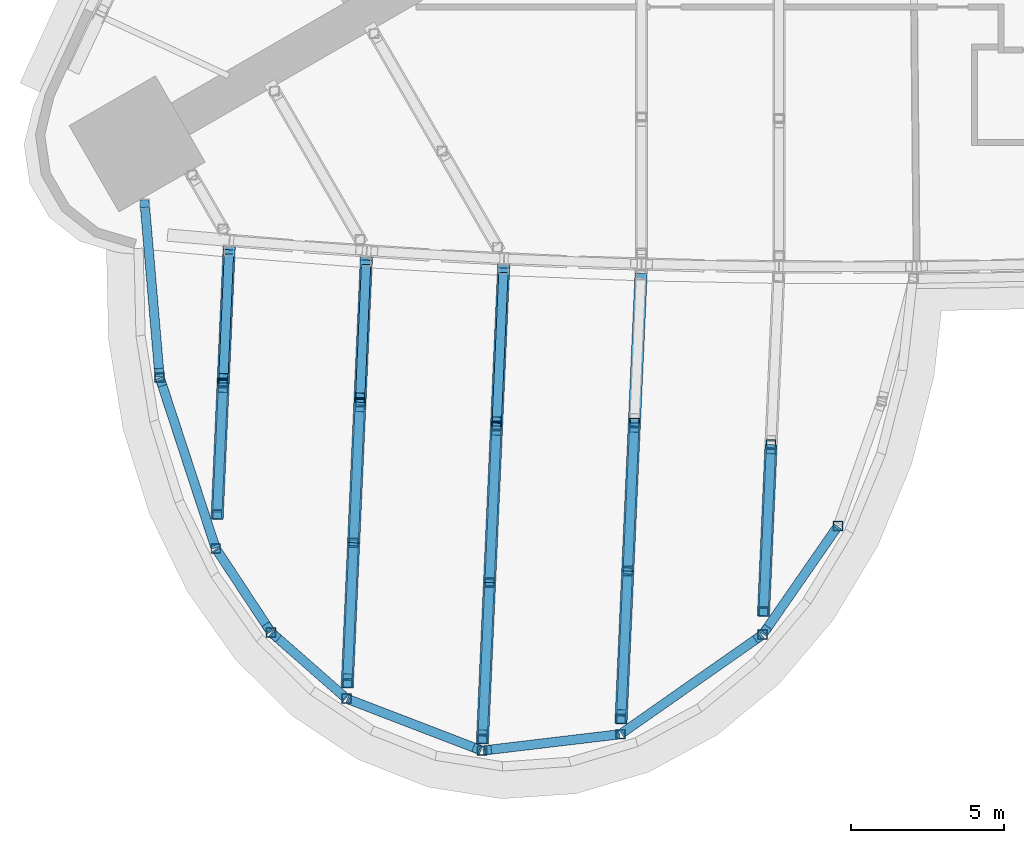
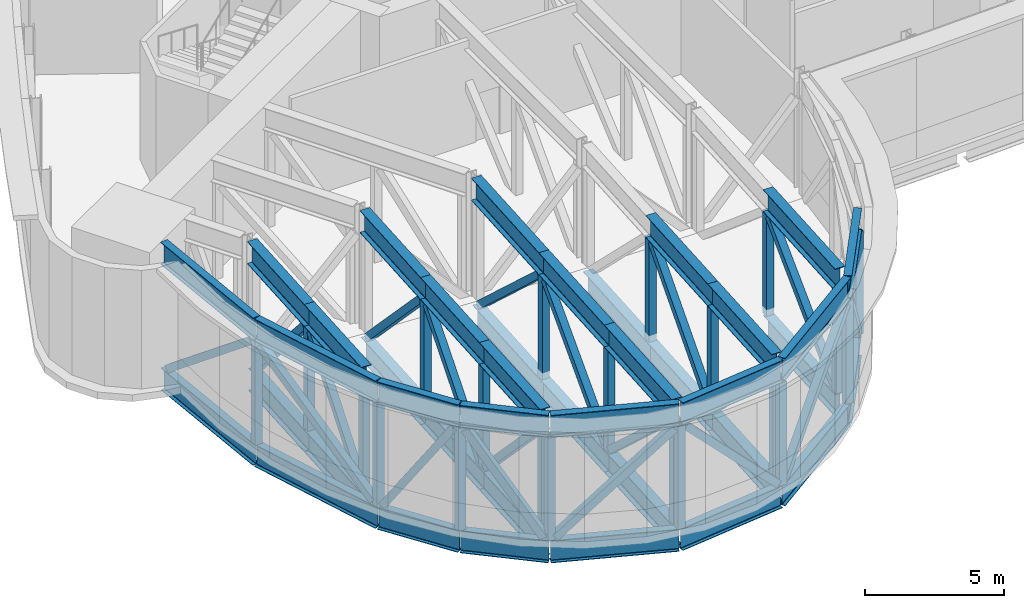
# One storey, part 2 of 10: 79 members.
"""IFC4 building model written with IfcOpenShell, lengths in metres."""

from ifc_helpers import new_model, si_unit, direction, frame, origin, origin_2d, place, context, subcontext, project, spatial, hollow_rectangle, i_section, extrude, material, material_profile, profile_set, type_object, element, save


model = new_model("IFC4")

# Units and contexts
model_context = context("Model", 3, precision=1e-05, world=origin(), true_north=direction((0.0, 1.0)))
body_context = subcontext(model_context, "Body", "Model", "MODEL_VIEW")
ifc_project = project(units=[si_unit("LENGTHUNIT", "METRE"), si_unit("AREAUNIT", "SQUARE_METRE"), si_unit("VOLUMEUNIT", "CUBIC_METRE"), si_unit("PLANEANGLEUNIT", "RADIAN"), si_unit("MASSUNIT", "GRAM", prefix="KILO")], contexts=[model_context])

# Site, building, storey
site_placement = place(None, origin())
site = spatial("IfcSite", under=ifc_project, at=site_placement, CompositionType="ELEMENT")
building_placement = place(site_placement, origin())
building = spatial("IfcBuilding", under=site, at=building_placement, Name="Noor Cloister Tower", CompositionType="ELEMENT")
storey_placement = place(building_placement, frame((0.0, 0.0, 52.800048828125)))
storey = spatial("IfcBuildingStorey", under=building, at=storey_placement, Name="L13", CompositionType="ELEMENT", Elevation=52.800048828125)

# Members
ifc_material_1 = material(Name="Steel ASTM A992 Gr 50", Category="steel")
ifc_material_profile_1 = material_profile(ifc_material_1, i_section(OverallWidth=0.300048828125, OverallDepth=0.97998046875, WebThickness=0.0166015625, FlangeThickness=0.026123046875, FilletRadius=0.02978515625, at=origin_2d()), Name="W1000x249")
ifc_profile_set_1 = profile_set([ifc_material_profile_1], Name="Steel ASTM A992 Gr 50")
member_type_1 = type_object("IfcMemberType", Name="Pod ring chord W1000x249", PredefinedType="CHORD", material=ifc_profile_set_1)
member_1_placement = place(storey_placement, frame((-22.955322265625, -15.23193359375, -0.7900390625), z_axis=(0.085725728448, -0.996318774029, 0.0), x_axis=(0.996318774029, 0.085725728448, 0.0)))
element("IfcMember", 1, at=member_1_placement, inside=storey, type_object=member_type_1, Name="Pod truss 1 bottom chord ring 1", PredefinedType="CHORD", context=body_context, shape_type="SweptSolid", body=[
    extrude(i_section(OverallWidth=0.300048828125, OverallDepth=0.97998046875, WebThickness=0.0166015625, FlangeThickness=0.026123046875, FilletRadius=0.02978515625, at=origin_2d()), origin(), (0.0, 0.0, 1.0), 5.78125),
])
member_2_placement = place(storey_placement, frame((-22.957763671875, -15.204345703125, 4.7099609375), z_axis=(0.085737293048, -0.996317778914, 0.0), x_axis=(0.996317778914, 0.085737293048, 0.0)))
element("IfcMember", 2, at=member_2_placement, inside=storey, type_object=member_type_1, Name="Pod truss 1 top chord ring 1", PredefinedType="CHORD", context=body_context, shape_type="SweptSolid", body=[
    extrude(i_section(OverallWidth=0.300048828125, OverallDepth=0.97998046875, WebThickness=0.0166015625, FlangeThickness=0.026123046875, FilletRadius=0.02978515625, at=origin_2d()), origin(), (0.0, 0.0, 1.0), 5.80908203125),
])
for number, where, z_axis, x_axis, name in (
    (3, (-22.452880859375, -21.026123046875, -0.7900390625), (0.311618164459, -0.950207408716, 0.0), (0.950207408716, 0.311618164459, 0.0), "Pod truss 1 bottom chord ring 2"),
    (4, (-22.452880859375, -21.026123046875, 4.7099609375), (0.311618164459, -0.950207408716, 0.0), (0.950207408716, 0.311618164459, 0.0), "Pod truss 1 top chord ring 2"),
):
    element("IfcMember", number, at=place(storey_placement, frame(where, z_axis=z_axis, x_axis=x_axis)), inside=storey, type_object=member_type_1, Name=name, PredefinedType="CHORD", context=body_context, shape_type="SweptSolid", body=[
        extrude(i_section(OverallWidth=0.300048828125, OverallDepth=0.97998046875, WebThickness=0.0166015625, FlangeThickness=0.026123046875, FilletRadius=0.02978515625, at=origin_2d()), origin(), (0.0, 0.0, 1.0), 5.8359375),
    ])
for number, where, z_axis, x_axis, name in (
    (5, (-20.616943359375, -26.607421875, -0.7900390625), (0.550436225719, -0.834877213377, 0.0), (0.834877213377, 0.550436225719, 0.0), "Pod truss 1 bottom chord ring 3"),
    (6, (-20.616943359375, -26.607421875, 4.7099609375), (0.550436225719, -0.834877213377, 0.0), (0.834877213377, 0.550436225719, 0.0), "Pod truss 1 top chord ring 3"),
):
    element("IfcMember", number, at=place(storey_placement, frame(where, z_axis=z_axis, x_axis=x_axis)), inside=storey, type_object=member_type_1, Name=name, PredefinedType="CHORD", context=body_context, shape_type="SweptSolid", body=[
        extrude(i_section(OverallWidth=0.300048828125, OverallDepth=0.97998046875, WebThickness=0.0166015625, FlangeThickness=0.026123046875, FilletRadius=0.02978515625, at=origin_2d()), origin(), (0.0, 0.0, 1.0), 3.24267578125),
    ])
for number, where, z_axis, x_axis, name in (
    (7, (-18.8056640625, -29.344970703125, -0.7900390625), (0.751715096734, -0.659487993327, 0.0), (0.659487993327, 0.751715096734, 0.0), "Pod truss 1 bottom chord ring 4"),
    (8, (-18.8056640625, -29.344970703125, 4.7099609375), (0.751715096734, -0.659487993327, 0.0), (0.659487993327, 0.751715096734, 0.0), "Pod truss 1 top chord ring 4"),
):
    element("IfcMember", number, at=place(storey_placement, frame(where, z_axis=z_axis, x_axis=x_axis)), inside=storey, type_object=member_type_1, Name=name, PredefinedType="CHORD", context=body_context, shape_type="SweptSolid", body=[
        extrude(i_section(OverallWidth=0.300048828125, OverallDepth=0.97998046875, WebThickness=0.0166015625, FlangeThickness=0.026123046875, FilletRadius=0.02978515625, at=origin_2d()), origin(), (0.0, 0.0, 1.0), 3.232177734375),
    ])
for number, where, z_axis, x_axis, name in (
    (9, (-16.330810546875, -31.50390625, -0.7900390625), (0.933474936538, -0.358642639483, 0.0), (0.358642639483, 0.933474936538, 0.0), "Pod truss 1 bottom chord ring 5"),
    (10, (-16.330810546875, -31.50390625, 4.7099609375), (0.933474936538, -0.358642639483, 0.0), (0.358642639483, 0.933474936538, 0.0), "Pod truss 1 top chord ring 5"),
):
    element("IfcMember", number, at=place(storey_placement, frame(where, z_axis=z_axis, x_axis=x_axis)), inside=storey, type_object=member_type_1, Name=name, PredefinedType="CHORD", context=body_context, shape_type="SweptSolid", body=[
        extrude(i_section(OverallWidth=0.300048828125, OverallDepth=0.97998046875, WebThickness=0.0166015625, FlangeThickness=0.026123046875, FilletRadius=0.02978515625, at=origin_2d()), origin(), (0.0, 0.0, 1.0), 4.66845703125),
    ])
for number, where, z_axis, x_axis, name in (
    (11, (-11.9013671875, -33.187255859375, -0.7900390625), (0.992974086755, 0.118332003416, 0.0), (-0.118332003416, 0.992974086755, 0.0), "Pod truss 1 bottom chord ring 6"),
    (12, (-11.9013671875, -33.187255859375, 4.7099609375), (0.992974086755, 0.118332003416, 0.0), (-0.118332003416, 0.992974086755, 0.0), "Pod truss 1 top chord ring 6"),
):
    element("IfcMember", number, at=place(storey_placement, frame(where, z_axis=z_axis, x_axis=x_axis)), inside=storey, type_object=member_type_1, Name=name, PredefinedType="CHORD", context=body_context, shape_type="SweptSolid", body=[
        extrude(i_section(OverallWidth=0.300048828125, OverallDepth=0.97998046875, WebThickness=0.0166015625, FlangeThickness=0.026123046875, FilletRadius=0.02978515625, at=origin_2d()), origin(), (0.0, 0.0, 1.0), 4.47509765625),
    ])
for number, where, z_axis, x_axis, name in (
    (13, (-7.389404296875, -32.63134765625, -0.7900390625), (0.819047475255, 0.573725747443, 0.0), (-0.573725747443, 0.819047475255, 0.0), "Pod truss 1 bottom chord ring 7"),
    (14, (-7.389404296875, -32.63134765625, 4.7099609375), (0.819047475255, 0.573725747443, 0.0), (-0.573725747443, 0.819047475255, 0.0), "Pod truss 1 top chord ring 7"),
):
    element("IfcMember", number, at=place(storey_placement, frame(where, z_axis=z_axis, x_axis=x_axis)), inside=storey, type_object=member_type_1, Name=name, PredefinedType="CHORD", context=body_context, shape_type="SweptSolid", body=[
        extrude(i_section(OverallWidth=0.300048828125, OverallDepth=0.97998046875, WebThickness=0.0166015625, FlangeThickness=0.026123046875, FilletRadius=0.02978515625, at=origin_2d()), origin(), (0.0, 0.0, 1.0), 5.597900390625),
    ])
for number, where, z_axis, x_axis, name in (
    (15, (-2.76708984375, -29.38232421875, -0.7900390625), (0.570197414266, 0.821507704628, 0.0), (-0.821507704628, 0.570197414266, 0.0), "Pod truss 1 bottom chord ring 8"),
    (16, (-2.76708984375, -29.38232421875, 4.7099609375), (0.570197414266, 0.821507704628, 0.0), (-0.821507704628, 0.570197414266, 0.0), "Pod truss 1 top chord ring 8"),
):
    element("IfcMember", number, at=place(storey_placement, frame(where, z_axis=z_axis, x_axis=x_axis)), inside=storey, type_object=member_type_1, Name=name, PredefinedType="CHORD", context=body_context, shape_type="SweptSolid", body=[
        extrude(i_section(OverallWidth=0.300048828125, OverallDepth=0.97998046875, WebThickness=0.0166015625, FlangeThickness=0.026123046875, FilletRadius=0.02978515625, at=origin_2d()), origin(), (0.0, 0.0, 1.0), 4.2666015625),
    ])
ifc_material_2 = material(Name="Steel ASTM A992 Gr 50", Category="steel")
ifc_material_profile_2 = material_profile(ifc_material_2, i_section(OverallWidth=0.40087890625, OverallDepth=0.98291015625, WebThickness=0.0166015625, FlangeThickness=0.027099609375, FilletRadius=0.030029296875, at=origin_2d()), Name="W1000x296")
ifc_profile_set_2 = profile_set([ifc_material_profile_2], Name="Steel ASTM A992 Gr 50")
member_type_2 = type_object("IfcMemberType", Name="Pod truss chord W1000x296", PredefinedType="CHORD", material=ifc_profile_set_2)
member_3_placement = place(storey_placement, frame((-20.191650390625, -16.845458984375, -0.79150390625), z_axis=(-0.044710410585, -0.998999989582, 0.0), x_axis=(0.998999989582, -0.044710410585, 0.0)))
element("IfcMember", 17, at=member_3_placement, inside=storey, type_object=member_type_2, Name="Pod truss 1 bottom chord line 1 cantilever 1", PredefinedType="CHORD", context=body_context, shape_type="SweptSolid", body=[
    extrude(i_section(OverallWidth=0.40087890625, OverallDepth=0.98291015625, WebThickness=0.0166015625, FlangeThickness=0.027099609375, FilletRadius=0.030029296875, at=origin_2d()), origin(), (0.0, 0.0, 1.0), 4.35205078125),
])
member_4_placement = place(storey_placement, frame((-20.187255859375, -16.748291015625, 4.70849609375), z_axis=(-0.044720675439, -0.998999530124, 0.0), x_axis=(0.998999530124, -0.044720675439, 0.0)))
element("IfcMember", 18, at=member_4_placement, inside=storey, type_object=member_type_2, Name="Pod truss 1 top chord line 1 cantilever 1", PredefinedType="CHORD", context=body_context, shape_type="SweptSolid", body=[
    extrude(i_section(OverallWidth=0.40087890625, OverallDepth=0.98291015625, WebThickness=0.0166015625, FlangeThickness=0.027099609375, FilletRadius=0.030029296875, at=origin_2d()), origin(), (0.0, 0.0, 1.0), 4.44921875),
])
for number, where, z_axis, x_axis, name in (
    (19, (-20.38623046875, -21.193115234375, -0.79150390625), (-0.044723127031, -0.998999420374, 0.0), (0.998999420374, -0.044723127031, 0.0), "Pod truss 1 bottom chord line 1 cantilever 2"),
    (20, (-20.38623046875, -21.193115234375, 4.70849609375), (-0.044723127031, -0.998999420374, 0.0), (0.998999420374, -0.044723127031, 0.0), "Pod truss 1 top chord line 1 cantilever 2"),
):
    element("IfcMember", number, at=place(storey_placement, frame(where, z_axis=z_axis, x_axis=x_axis)), inside=storey, type_object=member_type_2, Name=name, PredefinedType="CHORD", context=body_context, shape_type="SweptSolid", body=[
        extrude(i_section(OverallWidth=0.40087890625, OverallDepth=0.98291015625, WebThickness=0.0166015625, FlangeThickness=0.027099609375, FilletRadius=0.030029296875, at=origin_2d()), origin(), (0.0, 0.0, 1.0), 4.448974609375),
    ])
member_5_placement = place(storey_placement, frame((-15.715087890625, -17.18408203125, -0.79150390625), z_axis=(-0.044744615153, -0.998998458164, 0.0), x_axis=(0.998998458164, -0.044744615153, 0.0)))
element("IfcMember", 21, at=member_5_placement, inside=storey, type_object=member_type_2, Name="Pod truss 1 bottom chord line 2 cantilever 1", PredefinedType="CHORD", context=body_context, shape_type="SweptSolid", body=[
    extrude(i_section(OverallWidth=0.40087890625, OverallDepth=0.98291015625, WebThickness=0.0166015625, FlangeThickness=0.027099609375, FilletRadius=0.030029296875, at=origin_2d()), origin(), (0.0, 0.0, 1.0), 4.643310546875),
])
member_6_placement = place(storey_placement, frame((-15.7109375, -17.087158203125, 4.70849609375), z_axis=(-0.044704450301, -0.999000256318, 0.0), x_axis=(0.999000256318, -0.044704450301, 0.0)))
element("IfcMember", 22, at=member_6_placement, inside=storey, type_object=member_type_2, Name="Pod truss 1 top chord line 2 cantilever 1", PredefinedType="CHORD", context=body_context, shape_type="SweptSolid", body=[
    extrude(i_section(OverallWidth=0.40087890625, OverallDepth=0.98291015625, WebThickness=0.0166015625, FlangeThickness=0.027099609375, FilletRadius=0.030029296875, at=origin_2d()), origin(), (0.0, 0.0, 1.0), 4.740234375),
])
for number, where, z_axis, x_axis, name in (
    (23, (-15.9228515625, -21.82275390625, -0.79150390625), (-0.044698010938, -0.999000544453, 0.0), (0.999000544453, -0.044698010938, 0.0), "Pod truss 1 bottom chord line 2 cantilever 2"),
    (24, (-15.9228515625, -21.82275390625, 4.70849609375), (-0.044698010938, -0.999000544453, 0.0), (0.999000544453, -0.044698010938, 0.0), "Pod truss 1 top chord line 2 cantilever 2"),
):
    element("IfcMember", number, at=place(storey_placement, frame(where, z_axis=z_axis, x_axis=x_axis)), inside=storey, type_object=member_type_2, Name=name, PredefinedType="CHORD", context=body_context, shape_type="SweptSolid", body=[
        extrude(i_section(OverallWidth=0.40087890625, OverallDepth=0.98291015625, WebThickness=0.0166015625, FlangeThickness=0.027099609375, FilletRadius=0.030029296875, at=origin_2d()), origin(), (0.0, 0.0, 1.0), 4.588134765625),
    ])
for number, where, z_axis, x_axis, name in (
    (25, (-16.1279296875, -26.40625, -0.79150390625), (-0.044755850018, -0.998997954897, 0.0), (0.998997954897, -0.044755850018, 0.0), "Pod truss 1 bottom chord line 2 cantilever 3"),
    (26, (-16.1279296875, -26.40625, 4.70849609375), (-0.044755850018, -0.998997954897, 0.0), (0.998997954897, -0.044755850018, 0.0), "Pod truss 1 top chord line 2 cantilever 3"),
):
    element("IfcMember", number, at=place(storey_placement, frame(where, z_axis=z_axis, x_axis=x_axis)), inside=storey, type_object=member_type_2, Name=name, PredefinedType="CHORD", context=body_context, shape_type="SweptSolid", body=[
        extrude(i_section(OverallWidth=0.40087890625, OverallDepth=0.98291015625, WebThickness=0.0166015625, FlangeThickness=0.027099609375, FilletRadius=0.030029296875, at=origin_2d()), origin(), (0.0, 0.0, 1.0), 4.740234375),
    ])
member_7_placement = place(storey_placement, frame((-11.23291015625, -17.437255859375, -0.79150390625), z_axis=(-0.044736930336, -0.998998802334, 0.0), x_axis=(0.998998802334, -0.044736930336, 0.0)))
element("IfcMember", 27, at=member_7_placement, inside=storey, type_object=member_type_2, Name="Pod truss 1 bottom chord line 3 cantilever 1", PredefinedType="CHORD", context=body_context, shape_type="SweptSolid", body=[
    extrude(i_section(OverallWidth=0.40087890625, OverallDepth=0.98291015625, WebThickness=0.0166015625, FlangeThickness=0.027099609375, FilletRadius=0.030029296875, at=origin_2d()), origin(), (0.0, 0.0, 1.0), 5.16796875),
])
member_8_placement = place(storey_placement, frame((-11.228515625, -17.34033203125, 4.70849609375), z_axis=(-0.044747187196, -0.998998342961, 0.0), x_axis=(0.998998342961, -0.044747187196, 0.0)))
element("IfcMember", 28, at=member_8_placement, inside=storey, type_object=member_type_2, Name="Pod truss 1 top chord line 3 cantilever 1", PredefinedType="CHORD", context=body_context, shape_type="SweptSolid", body=[
    extrude(i_section(OverallWidth=0.40087890625, OverallDepth=0.98291015625, WebThickness=0.0166015625, FlangeThickness=0.027099609375, FilletRadius=0.030029296875, at=origin_2d()), origin(), (0.0, 0.0, 1.0), 5.26513671875),
])
for number, where, z_axis, x_axis, name in (
    (29, (-11.464111328125, -22.60009765625, -0.79150390625), (-0.044699290407, -0.999000487206, 0.0), (0.999000487206, -0.044699290407, 0.0), "Pod truss 1 bottom chord line 3 cantilever 2"),
    (30, (-11.464111328125, -22.60009765625, 4.70849609375), (-0.044699290407, -0.999000487206, 0.0), (0.999000487206, -0.044699290407, 0.0), "Pod truss 1 top chord line 3 cantilever 2"),
):
    element("IfcMember", number, at=place(storey_placement, frame(where, z_axis=z_axis, x_axis=x_axis)), inside=storey, type_object=member_type_2, Name=name, PredefinedType="CHORD", context=body_context, shape_type="SweptSolid", body=[
        extrude(i_section(OverallWidth=0.40087890625, OverallDepth=0.98291015625, WebThickness=0.0166015625, FlangeThickness=0.027099609375, FilletRadius=0.030029296875, at=origin_2d()), origin(), (0.0, 0.0, 1.0), 5.1123046875),
    ])
for number, where, z_axis, x_axis, name in (
    (31, (-11.692626953125, -27.707275390625, -0.79150390625), (-0.044749260147, -0.998998250107, 0.0), (0.998998250107, -0.044749260147, 0.0), "Pod truss 1 bottom chord line 3 cantilever 3"),
    (32, (-11.692626953125, -27.707275390625, 4.70849609375), (-0.044749260147, -0.998998250107, 0.0), (0.998998250107, -0.044749260147, 0.0), "Pod truss 1 top chord line 3 cantilever 3"),
):
    element("IfcMember", number, at=place(storey_placement, frame(where, z_axis=z_axis, x_axis=x_axis)), inside=storey, type_object=member_type_2, Name=name, PredefinedType="CHORD", context=body_context, shape_type="SweptSolid", body=[
        extrude(i_section(OverallWidth=0.40087890625, OverallDepth=0.98291015625, WebThickness=0.0166015625, FlangeThickness=0.027099609375, FilletRadius=0.030029296875, at=origin_2d()), origin(), (0.0, 0.0, 1.0), 5.264892578125),
    ])
member_9_placement = place(storey_placement, frame((-6.746826171875, -17.611328125, -0.79150390625), z_axis=(-0.044728326608, -0.998999187587, 0.0), x_axis=(0.998999187587, -0.044728326608, 0.0)))
element("IfcMember", 33, at=member_9_placement, inside=storey, type_object=member_type_2, Name="Pod truss 1 bottom chord line 4 cantilever 1", PredefinedType="CHORD", context=body_context, shape_type="SweptSolid", body=[
    extrude(i_section(OverallWidth=0.40087890625, OverallDepth=0.98291015625, WebThickness=0.0166015625, FlangeThickness=0.027099609375, FilletRadius=0.030029296875, at=origin_2d()), origin(), (0.0, 0.0, 1.0), 4.890625),
])
for number, where, z_axis, x_axis, name in (
    (34, (-6.965576171875, -22.4970703125, -0.79150390625), (-0.044736565748, -0.99899881866, 0.0), (0.99899881866, -0.044736565748, 0.0), "Pod truss 1 bottom chord line 4 cantilever 2"),
    (35, (-6.965576171875, -22.4970703125, 4.70849609375), (-0.044736565748, -0.99899881866, 0.0), (0.99899881866, -0.044736565748, 0.0), "Pod truss 1 top chord line 4 cantilever 2"),
):
    element("IfcMember", number, at=place(storey_placement, frame(where, z_axis=z_axis, x_axis=x_axis)), inside=storey, type_object=member_type_2, Name=name, PredefinedType="CHORD", context=body_context, shape_type="SweptSolid", body=[
        extrude(i_section(OverallWidth=0.40087890625, OverallDepth=0.98291015625, WebThickness=0.0166015625, FlangeThickness=0.027099609375, FilletRadius=0.030029296875, at=origin_2d()), origin(), (0.0, 0.0, 1.0), 4.835205078125),
    ])
for number, where, z_axis, x_axis, name in (
    (36, (-7.181884765625, -27.327392578125, -0.79150390625), (-0.044739321254, -0.998998695261, 0.0), (0.998998695261, -0.044739321254, 0.0), "Pod truss 1 bottom chord line 4 cantilever 3"),
    (37, (-7.181884765625, -27.327392578125, 4.70849609375), (-0.044739321254, -0.998998695261, 0.0), (0.998998695261, -0.044739321254, 0.0), "Pod truss 1 top chord line 4 cantilever 3"),
):
    element("IfcMember", number, at=place(storey_placement, frame(where, z_axis=z_axis, x_axis=x_axis)), inside=storey, type_object=member_type_2, Name=name, PredefinedType="CHORD", context=body_context, shape_type="SweptSolid", body=[
        extrude(i_section(OverallWidth=0.40087890625, OverallDepth=0.98291015625, WebThickness=0.0166015625, FlangeThickness=0.027099609375, FilletRadius=0.030029296875, at=origin_2d()), origin(), (0.0, 0.0, 1.0), 4.987548828125),
    ])
for number, where, z_axis, x_axis, name in (
    (38, (-2.5048828125, -23.20458984375, -0.79150390625), (-0.044724165518, -0.998999373883, 0.0), (0.998999373883, -0.044724165518, 0.0), "Pod truss 1 bottom chord line 5 cantilever 2"),
    (39, (-2.5048828125, -23.20458984375, 4.70849609375), (-0.044724165518, -0.998999373883, 0.0), (0.998999373883, -0.044724165518, 0.0), "Pod truss 1 top chord line 5 cantilever 2"),
):
    element("IfcMember", number, at=place(storey_placement, frame(where, z_axis=z_axis, x_axis=x_axis)), inside=storey, type_object=member_type_2, Name=name, PredefinedType="CHORD", context=body_context, shape_type="SweptSolid", body=[
        extrude(i_section(OverallWidth=0.40087890625, OverallDepth=0.98291015625, WebThickness=0.0166015625, FlangeThickness=0.027099609375, FilletRadius=0.030029296875, at=origin_2d()), origin(), (0.0, 0.0, 1.0), 5.606201171875),
    ])
ifc_material_3 = material(Name="Steel ASTM A500 Gr C", Category="steel")
ifc_material_profile_3 = material_profile(ifc_material_3, hollow_rectangle(XDim=0.304931640625, YDim=0.304931640625, WallThickness=0.0126953125, at=origin_2d()), Name="HSS304.8x304.8x12.7")
ifc_profile_set_3 = profile_set([ifc_material_profile_3], Name="Steel ASTM A500 Gr C")
member_type_3 = type_object("IfcMemberType", Name="Pod truss diagonal HSS304.8x304.8x12.7", PredefinedType="BRACE", material=ifc_profile_set_3)
member_10_placement = place(storey_placement, frame((-22.927734375, -15.55322265625, -0.181640625), z_axis=(0.066547713004, -0.773684501476, 0.630066420364), x_axis=(0.99632119476, 0.085697589653, 0.0)))
element("IfcMember", 40, at=member_10_placement, inside=storey, type_object=member_type_3, Name="Pod truss 1 diagonal ring 1", PredefinedType="BRACE", context=body_context, shape_type="SweptSolid", body=[
    extrude(hollow_rectangle(XDim=0.304931640625, YDim=0.304931640625, WallThickness=0.0126953125, at=origin_2d()), origin(), (0.0, 0.0, 1.0), 6.798095703125),
])
member_11_placement = place(storey_placement, frame((-22.396728515625, -21.197021484375, 4.099853515625), z_axis=(0.245570171534, -0.74882573113, -0.615593465893), x_axis=(0.950209426728, 0.311612010932, 0.0)))
element("IfcMember", 41, at=member_11_placement, inside=storey, type_object=member_type_3, Name="Pod truss 1 diagonal ring 2", PredefinedType="BRACE", context=body_context, shape_type="SweptSolid", body=[
    extrude(hollow_rectangle(XDim=0.304931640625, YDim=0.304931640625, WallThickness=0.0126953125, at=origin_2d()), origin(), (0.0, 0.0, 1.0), 6.952392578125),
])
member_12_placement = place(storey_placement, frame((-20.519287109375, -26.755615234375, -0.2158203125), z_axis=(0.304376041437, -0.461682965019, 0.83318909331), x_axis=(0.83488757265, 0.550420512912, 0.0)))
element("IfcMember", 42, at=member_12_placement, inside=storey, type_object=member_type_3, Name="Pod truss 1 diagonal ring 3", PredefinedType="BRACE", context=body_context, shape_type="SweptSolid", body=[
    extrude(hollow_rectangle(XDim=0.304931640625, YDim=0.304931640625, WallThickness=0.0126953125, at=origin_2d()), origin(), (0.0, 0.0, 1.0), 5.222412109375),
])
member_13_placement = place(storey_placement, frame((-18.67236328125, -29.4619140625, 4.1357421875), z_axis=(0.415275735926, -0.364348339932, -0.833544450128), x_axis=(0.659510833298, 0.75169505836, 0.0)))
element("IfcMember", 43, at=member_13_placement, inside=storey, type_object=member_type_3, Name="Pod truss 1 diagonal ring 4", PredefinedType="BRACE", context=body_context, shape_type="SweptSolid", body=[
    extrude(hollow_rectangle(XDim=0.304931640625, YDim=0.304931640625, WallThickness=0.0126953125, at=origin_2d()), origin(), (0.0, 0.0, 1.0), 5.220458984375),
])
member_14_placement = place(storey_placement, frame((-16.17138671875, -31.56494140625, -0.19189453125), z_axis=(0.662641918784, -0.254644051399, 0.70431675726), x_axis=(0.35871127039, 0.933448565533, 0.0)))
element("IfcMember", 44, at=member_14_placement, inside=storey, type_object=member_type_3, Name="Pod truss 1 diagonal ring 5", PredefinedType="BRACE", context=body_context, shape_type="SweptSolid", body=[
    extrude(hollow_rectangle(XDim=0.304931640625, YDim=0.304931640625, WallThickness=0.0126953125, at=origin_2d()), origin(), (0.0, 0.0, 1.0), 6.110107421875),
])
member_15_placement = place(storey_placement, frame((-11.7421875, -33.168212890625, 4.114013671875), z_axis=(0.689316724033, 0.082151836334, -0.719787141977), x_axis=(-0.11834118043, 0.992972993094, 0.0)))
element("IfcMember", 45, at=member_15_placement, inside=storey, type_object=member_type_3, Name="Pod truss 1 diagonal ring 6", PredefinedType="BRACE", context=body_context, shape_type="SweptSolid", body=[
    extrude(hollow_rectangle(XDim=0.304931640625, YDim=0.304931640625, WallThickness=0.0126953125, at=origin_2d()), origin(), (0.0, 0.0, 1.0), 5.9853515625),
])
member_16_placement = place(storey_placement, frame((-7.258544921875, -32.539794921875, -0.181640625), z_axis=(0.63548155234, 0.445146340902, 0.630878698181), x_axis=(-0.573729820109, 0.819044622422, 0.0)))
element("IfcMember", 46, at=member_16_placement, inside=storey, type_object=member_type_3, Name="Pod truss 1 diagonal ring 7", PredefinedType="BRACE", context=body_context, shape_type="SweptSolid", body=[
    extrude(hollow_rectangle(XDim=0.304931640625, YDim=0.304931640625, WallThickness=0.0126953125, at=origin_2d()), origin(), (0.0, 0.0, 1.0), 6.789306640625),
])
member_17_placement = place(storey_placement, frame((-2.669677734375, -29.2421875, 4.117431640625), z_axis=(0.383326237091, 0.552329882924, -0.740265287844), x_axis=(-0.821534515813, 0.570158784312, 0.0)))
element("IfcMember", 47, at=member_17_placement, inside=storey, type_object=member_type_3, Name="Pod truss 1 diagonal ring 8", PredefinedType="BRACE", context=body_context, shape_type="SweptSolid", body=[
    extrude(hollow_rectangle(XDim=0.304931640625, YDim=0.304931640625, WallThickness=0.0126953125, at=origin_2d()), origin(), (0.0, 0.0, 1.0), 5.828857421875),
])
for number, where, z_axis, x_axis, name in (
    (48, (-20.202880859375, -17.097900390625, -0.19775390625), (-0.030016344374, -0.670225088008, 0.741550639184), (0.998998637021, -0.044740621702, 0.0), "Pod truss 1 diagonal line 1 cantilever 1"),
    (49, (-20.395263671875, -21.390380859375, 4.11474609375), (-0.029974401217, -0.670225931979, -0.74155157297), (0.999001431886, -0.0446781724, 0.0), "Pod truss 1 diagonal line 1 cantilever 2"),
):
    element("IfcMember", number, at=place(storey_placement, frame(where, z_axis=z_axis, x_axis=x_axis)), inside=storey, type_object=member_type_3, Name=name, PredefinedType="BRACE", context=body_context, shape_type="SweptSolid", body=[
        extrude(hollow_rectangle(XDim=0.304931640625, YDim=0.304931640625, WallThickness=0.0126953125, at=origin_2d()), origin(), (0.0, 0.0, 1.0), 5.8154296875),
    ])
for number, where, z_axis, x_axis, name in (
    (50, (-15.7265625, -17.436767578125, -0.193603515625), (-0.031203805628, -0.697088142136, 0.716306110967), (0.998999636856, -0.044718291141, 0.0), "Pod truss 1 diagonal line 2 cantilever 1"),
    (51, (-15.931640625, -22.02001953125, 4.110595703125), (-0.031203805628, -0.697088142136, -0.716306110967), (0.998999636856, -0.044718291141, 0.0), "Pod truss 1 diagonal line 2 cantilever 2"),
    (52, (-16.136962890625, -26.603515625, -0.193603515625), (-0.031203805628, -0.697088142136, 0.716306110967), (0.998999636856, -0.044718291141, 0.0), "Pod truss 1 diagonal line 2 cantilever 3"),
):
    element("IfcMember", number, at=place(storey_placement, frame(where, z_axis=z_axis, x_axis=x_axis)), inside=storey, type_object=member_type_3, Name=name, PredefinedType="BRACE", context=body_context, shape_type="SweptSolid", body=[
        extrude(hollow_rectangle(XDim=0.304931640625, YDim=0.304931640625, WallThickness=0.0126953125, at=origin_2d()), origin(), (0.0, 0.0, 1.0), 6.0087890625),
    ])
for number, where, z_axis, x_axis, name in (
    (53, (-11.244140625, -17.68994140625, -0.187255859375), (-0.033114305747, -0.738965831013, 0.672928631692), (0.99899746597, -0.044766762061, 0.0), "Pod truss 1 diagonal line 3 cantilever 1"),
    (54, (-11.472900390625, -22.79736328125, 4.104248046875), (-0.033076065218, -0.738966767257, -0.672929484269), (0.998999779153, -0.044715112117, 0.0), "Pod truss 1 diagonal line 3 cantilever 2"),
    (55, (-11.701416015625, -27.904541015625, -0.187255859375), (-0.033114305747, -0.738965831013, 0.672928631692), (0.99899746597, -0.044766762061, 0.0), "Pod truss 1 diagonal line 3 cantilever 3"),
):
    element("IfcMember", number, at=place(storey_placement, frame(where, z_axis=z_axis, x_axis=x_axis)), inside=storey, type_object=member_type_3, Name=name, PredefinedType="BRACE", context=body_context, shape_type="SweptSolid", body=[
        extrude(hollow_rectangle(XDim=0.304931640625, YDim=0.304931640625, WallThickness=0.0126953125, at=origin_2d()), origin(), (0.0, 0.0, 1.0), 6.37744140625),
    ])
for number, where, z_axis, x_axis, name in (
    (56, (-6.974365234375, -22.6943359375, 4.107421875), (-0.032159196277, -0.717813804865, -0.695492004009), (0.998997917255, -0.044756690222, 0.0), "Pod truss 1 diagonal line 4 cantilever 2"),
    (57, (-7.190673828125, -27.524658203125, -0.1904296875), (-0.032159196277, -0.717813804865, 0.695492004009), (0.998997917255, -0.044756690222, 0.0), "Pod truss 1 diagonal line 4 cantilever 3"),
):
    element("IfcMember", number, at=place(storey_placement, frame(where, z_axis=z_axis, x_axis=x_axis)), inside=storey, type_object=member_type_3, Name=name, PredefinedType="BRACE", context=body_context, shape_type="SweptSolid", body=[
        extrude(hollow_rectangle(XDim=0.304931640625, YDim=0.304931640625, WallThickness=0.0126953125, at=origin_2d()), origin(), (0.0, 0.0, 1.0), 6.1796875),
    ])
member_18_placement = place(storey_placement, frame((-2.513671875, -23.40185546875, 4.1005859375), z_axis=(-0.034139961471, -0.762348654205, -0.646265419516), x_axis=(0.998998764697, -0.044737770767, 0.0)))
element("IfcMember", 58, at=member_18_placement, inside=storey, type_object=member_type_3, Name="Pod truss 1 diagonal line 5 cantilever 2", PredefinedType="BRACE", context=body_context, shape_type="SweptSolid", body=[
    extrude(hollow_rectangle(XDim=0.304931640625, YDim=0.304931640625, WallThickness=0.0126953125, at=origin_2d()), origin(), (0.0, 0.0, 1.0), 6.629150390625),
])
ifc_material_4 = material(Name="Steel ASTM A500 Gr C", Category="steel")
ifc_material_profile_4 = material_profile(ifc_material_4, hollow_rectangle(XDim=0.304931640625, YDim=0.304931640625, WallThickness=0.0126953125, at=origin_2d()), Name="HSS304.8x304.8x12.7")
ifc_profile_set_4 = profile_set([ifc_material_profile_4], Name="Steel ASTM A500 Gr C")
member_type_4 = type_object("IfcMemberType", Name="Pod truss post HSS304.8x304.8x12.7", PredefinedType="POST", material=ifc_profile_set_4)
for number, where, z_axis, x_axis, name in (
    (59, (-22.458251953125, -21.009521484375, -0.300048828125), (0.0, 0.0, 1.0), (1.0, 0.0, 0.0), "Pod truss 1 post ring node 1"),
    (60, (-20.6279296875, -26.590576171875, -0.300048828125), (0.0, 0.0, 1.0), (1.0, 0.0, 0.0), "Pod truss 1 post ring node 2"),
    (61, (-18.82080078125, -29.33154296875, -0.300048828125), (0.0, 0.0, 1.0), (1.0, 0.0, 0.0), "Pod truss 1 post ring node 3"),
    (62, (-16.355712890625, -31.494140625, -0.300048828125), (0.0, 0.0, 1.0), (1.0, 0.0, 0.0), "Pod truss 1 post ring node 4"),
    (63, (-11.938232421875, -33.191650390625, -0.300048828125), (0.0, 0.0, 1.0), (1.0, 0.0, 0.0), "Pod truss 1 post ring node 5"),
    (64, (-7.42041015625, -32.653076171875, -0.300048828125), (0.0, 0.0, 1.0), (1.0, 0.0, 0.0), "Pod truss 1 post ring node 6"),
    (65, (-2.782470703125, -29.404296875, -0.300048828125), (0.0, 0.0, 1.0), (1.0, 0.0, 0.0), "Pod truss 1 post ring node 7"),
    (66, (-0.32275390625, -25.8603515625, -0.300048828125), (0.0, 0.0, 1.0), (1.0, 0.0, 0.0), "Pod truss 1 post ring node 8"),
):
    element("IfcMember", number, at=place(storey_placement, frame(where, z_axis=z_axis, x_axis=x_axis)), inside=storey, type_object=member_type_4, Name=name, PredefinedType="POST", context=body_context, shape_type="SweptSolid", body=[
        extrude(hollow_rectangle(XDim=0.304931640625, YDim=0.304931640625, WallThickness=0.0126953125, at=origin_2d()), origin(), (0.0, 0.0, 1.0), 4.52001953125),
    ])
for number, where, z_axis, x_axis, name in (
    (67, (-20.38623046875, -21.193115234375, -0.300048828125), (0.0, 0.0, 1.0), (1.0, 0.0, 0.0), "Pod truss 1 post line 1 cantilever 2"),
    (68, (-20.578369140625, -25.4853515625, -0.300048828125), (0.0, 0.0, 1.0), (1.0, 0.0, 0.0), "Pod truss 1 post line 1 cantilever 3"),
    (69, (-15.9228515625, -21.82275390625, -0.300048828125), (0.0, 0.0, 1.0), (1.0, 0.0, 0.0), "Pod truss 1 post line 2 cantilever 2"),
    (70, (-16.1279296875, -26.40625, -0.300048828125), (0.0, 0.0, 1.0), (1.0, 0.0, 0.0), "Pod truss 1 post line 2 cantilever 3"),
    (71, (-16.333251953125, -30.989501953125, -0.300048828125), (0.0, 0.0, 1.0), (1.0, 0.0, 0.0), "Pod truss 1 post line 2 cantilever 4"),
    (72, (-11.464111328125, -22.60009765625, -0.300048828125), (0.0, 0.0, 1.0), (1.0, 0.0, 0.0), "Pod truss 1 post line 3 cantilever 2"),
    (73, (-11.692626953125, -27.707275390625, -0.300048828125), (0.0, 0.0, 1.0), (1.0, 0.0, 0.0), "Pod truss 1 post line 3 cantilever 3"),
    (74, (-11.92138671875, -32.814453125, -0.300048828125), (0.0, 0.0, 1.0), (1.0, 0.0, 0.0), "Pod truss 1 post line 3 cantilever 4"),
    (75, (-6.965576171875, -22.4970703125, -0.300048828125), (0.0, 0.0, 1.0), (1.0, 0.0, 0.0), "Pod truss 1 post line 4 cantilever 2"),
    (76, (-7.181884765625, -27.327392578125, -0.300048828125), (0.0, 0.0, 1.0), (1.0, 0.0, 0.0), "Pod truss 1 post line 4 cantilever 3"),
    (77, (-7.398193359375, -32.15771484375, -0.300048828125), (0.0, 0.0, 1.0), (1.0, 0.0, 0.0), "Pod truss 1 post line 4 cantilever 4"),
    (78, (-2.5048828125, -23.20458984375, -0.300048828125), (0.0, 0.0, 1.0), (1.0, 0.0, 0.0), "Pod truss 1 post line 5 cantilever 2"),
    (79, (-2.748779296875, -28.65283203125, -0.300048828125), (0.0, 0.0, 1.0), (1.0, 0.0, 0.0), "Pod truss 1 post line 5 cantilever 3"),
):
    element("IfcMember", number, at=place(storey_placement, frame(where, z_axis=z_axis, x_axis=x_axis)), inside=storey, type_object=member_type_4, Name=name, PredefinedType="POST", context=body_context, shape_type="SweptSolid", body=[
        extrude(hollow_rectangle(XDim=0.304931640625, YDim=0.304931640625, WallThickness=0.0126953125, at=origin_2d()), origin(), (0.0, 0.0, 1.0), 4.51708984375),
    ])

save(model, "model.ifc")
